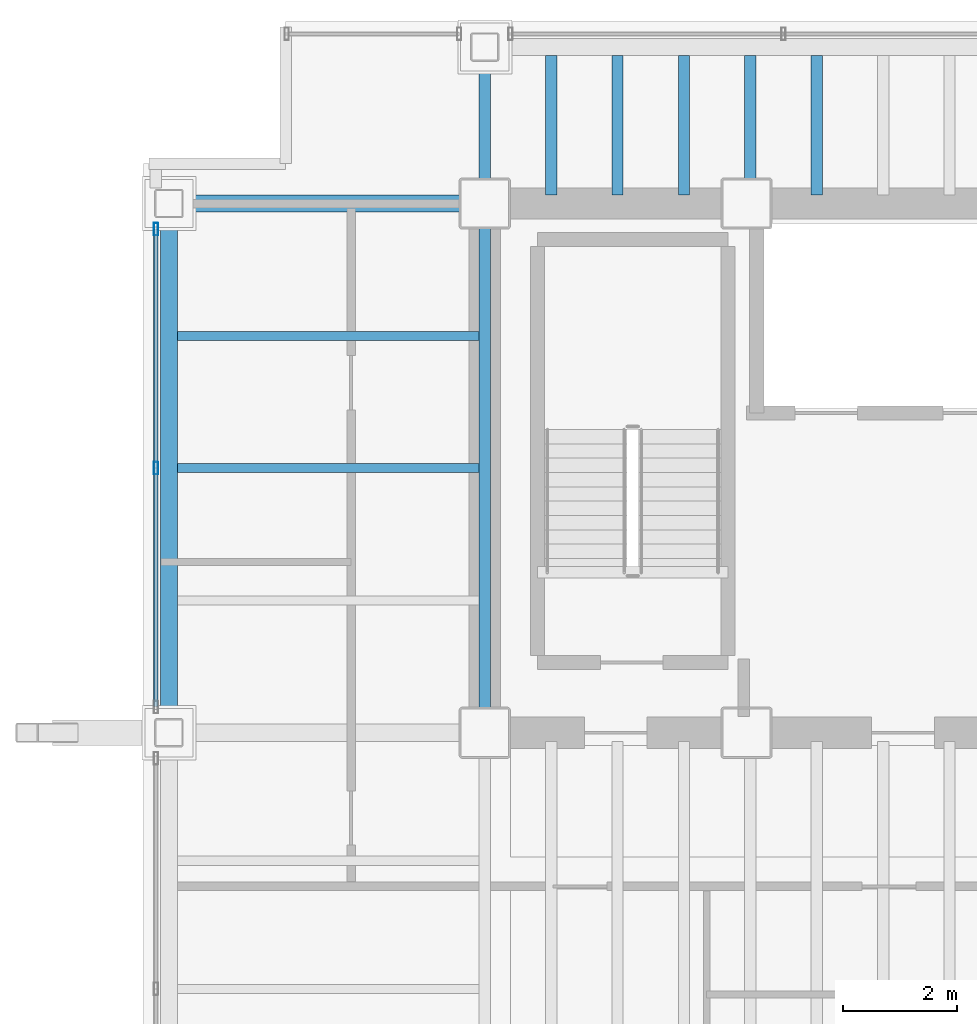
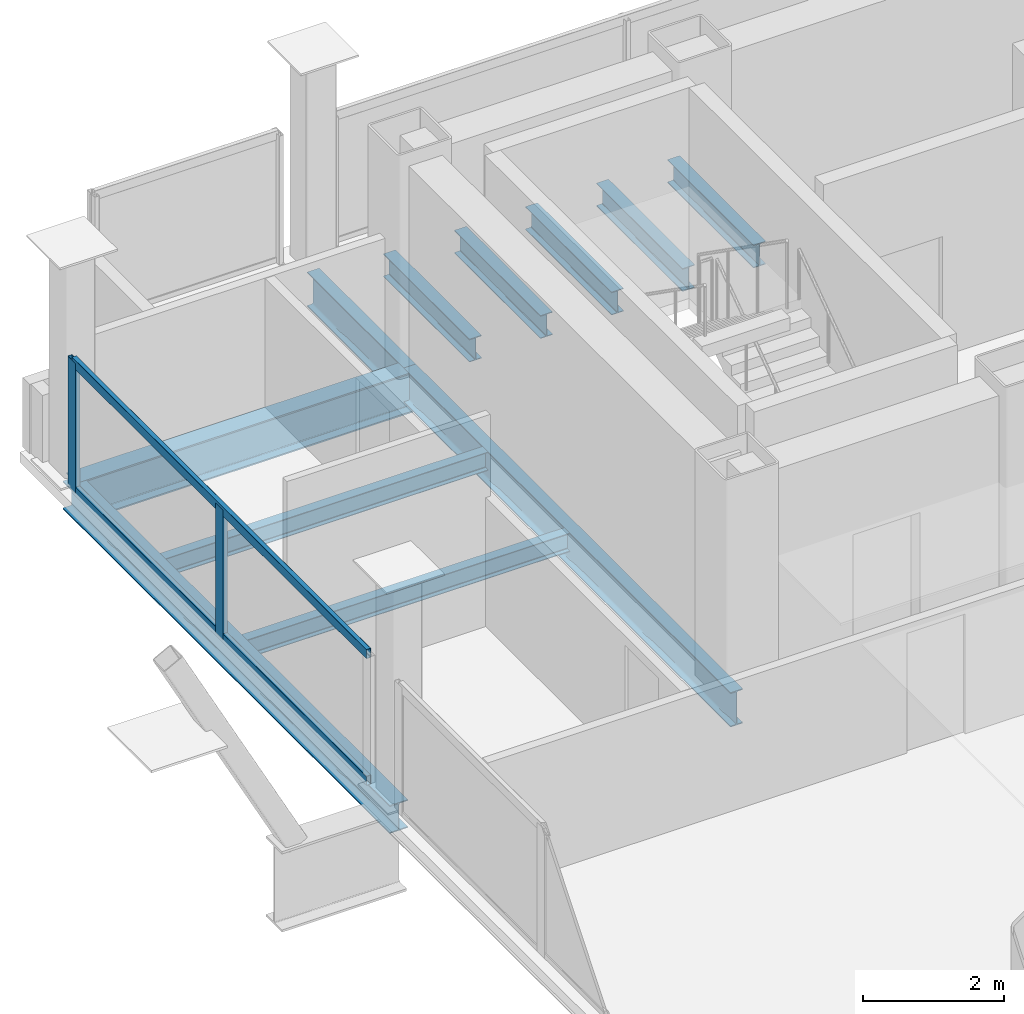
# One storey, part 7 of 21: 11 beams, 4 members, 1 element without a shape of its own.
"""IFC4 building model written with IfcOpenShell, lengths in metres."""

from ifc_helpers import new_model, si_unit, direction, frame, origin, origin_2d, place, context, subcontext, project, spatial, hollow_rectangle, i_section, extrude, material, material_profile, profile_set, type_object, element, aggregate, save


model = new_model("IFC4")

# Units and contexts
model_context = context("Model", 3, precision=1e-05, world=origin(), true_north=direction((0.0, 1.0)))
body_context = subcontext(model_context, "Body", "Model", "MODEL_VIEW")
ifc_project = project(units=[si_unit("LENGTHUNIT", "METRE"), si_unit("AREAUNIT", "SQUARE_METRE"), si_unit("VOLUMEUNIT", "CUBIC_METRE"), si_unit("PLANEANGLEUNIT", "RADIAN"), si_unit("MASSUNIT", "GRAM", prefix="KILO")], contexts=[model_context])

# Site, building, storey
site_placement = place(None, origin())
site = spatial("IfcSite", under=ifc_project, at=site_placement, CompositionType="ELEMENT")
building_placement = place(site_placement, origin())
building = spatial("IfcBuilding", under=site, at=building_placement, Name="Noeulbin Bourse Tower", CompositionType="ELEMENT")
storey_placement = place(building_placement, frame((0.0, 0.0, 111.0)))
storey = spatial("IfcBuildingStorey", under=building, at=storey_placement, Name="L27", CompositionType="ELEMENT", Elevation=111.0)

# Beams
ifc_material_1 = material(Name="Steel S355", Category="steel")
ifc_material_profile_1 = material_profile(ifc_material_1, i_section(OverallWidth=0.199951171875, OverallDepth=0.60009765625, WebThickness=0.010986328125, FlangeThickness=0.01708984375, FilletRadius=0.02197265625, at=origin_2d()), Name="H-600x200x11x17", Category="LoadBearing")
ifc_profile_set_1 = profile_set([ifc_material_profile_1], Name="Steel S355")
beam_type_1 = type_object("IfcBeamType", Name="BM-GRD-600", PredefinedType="USERDEFINED", material=ifc_profile_set_1)
beam_1_placement = place(storey_placement, frame((13.5, 29.0, -0.47998046875), z_axis=(0.0, 1.0, 0.0), x_axis=(-1.0, 0.0, 0.0)))
element("IfcBeam", 1, at=beam_1_placement, inside=storey, type_object=beam_type_1, Name="Tower Primary Girder NS L27-1.3", ObjectType="GIRDER", PredefinedType="USERDEFINED", context=body_context, shape_type="SweptSolid", body=[
    extrude(i_section(OverallWidth=0.199951171875, OverallDepth=0.60009765625, WebThickness=0.010986328125, FlangeThickness=0.01708984375, FilletRadius=0.02197265625, at=origin_2d()), origin(), (0.0, 0.0, 1.0), 9.300048828125),
])
beam_2_placement = place(storey_placement, frame((13.5, 38.300048828125, -0.47998046875), z_axis=(0.0, 1.0, 0.0), x_axis=(-1.0, 0.0, 0.0)))
element("IfcBeam", 2, at=beam_2_placement, inside=storey, type_object=beam_type_1, Name="Tower Primary Girder NS L27-1.4", ObjectType="GIRDER", PredefinedType="USERDEFINED", context=body_context, shape_type="SweptSolid", body=[
    extrude(i_section(OverallWidth=0.199951171875, OverallDepth=0.60009765625, WebThickness=0.010986328125, FlangeThickness=0.01708984375, FilletRadius=0.02197265625, at=origin_2d()), origin(), (0.0, 0.0, 1.0), 2.75),
])
ifc_material_profile_2 = material_profile(ifc_material_1, i_section(OverallWidth=0.300048828125, OverallDepth=0.699951171875, WebThickness=0.012939453125, FlangeThickness=0.02392578125, FilletRadius=0.02392578125, at=origin_2d()), Name="H-700x300x13x24", Category="LoadBearing")
ifc_profile_set_2 = profile_set([ifc_material_profile_2], Name="Steel S355")
beam_type_2 = type_object("IfcBeamType", Name="BM-GRD-700", PredefinedType="USERDEFINED", material=ifc_profile_set_2)
beam_3_placement = place(storey_placement, frame((7.949951171875, 38.300048828125, -0.530029296875), z_axis=(1.0, 0.0, 0.0), x_axis=(0.0, 1.0, 0.0)))
element("IfcBeam", 3, at=beam_3_placement, inside=storey, type_object=beam_type_2, Name="Tower Primary Girder EW L27-3.1", ObjectType="GIRDER", PredefinedType="USERDEFINED", context=body_context, shape_type="SweptSolid", body=[
    extrude(i_section(OverallWidth=0.300048828125, OverallDepth=0.699951171875, WebThickness=0.012939453125, FlangeThickness=0.02392578125, FilletRadius=0.02392578125, at=origin_2d()), origin(), (0.0, 0.0, 1.0), 5.550048828125),
])
ifc_material_profile_3 = material_profile(ifc_material_1, i_section(OverallWidth=0.159912109375, OverallDepth=0.320068359375, WebThickness=0.006591796875, FlangeThickness=0.010009765625, FilletRadius=0.012939453125, at=origin_2d()), Name="H-320x160x6.5x10", Category="LoadBearing")
ifc_profile_set_3 = profile_set([ifc_material_profile_3], Name="Steel S355")
beam_type_3 = type_object("IfcBeamType", Name="BM-JST-320", PredefinedType="JOIST", material=ifc_profile_set_3)
for number, where, z_axis, x_axis, name in (
    (4, (8.10009765625, 33.64990234375, -0.340087890625), (1.0, 0.0, 0.0), (0.0, 1.0, 0.0), "Wing Composite Joist L27-W74"),
    (5, (8.10009765625, 35.97509765625, -0.340087890625), (1.0, 0.0, 0.0), (0.0, 1.0, 0.0), "Wing Composite Joist L27-W75"),
):
    element("IfcBeam", number, at=place(storey_placement, frame(where, z_axis=z_axis, x_axis=x_axis)), inside=storey, type_object=beam_type_3, Name=name, PredefinedType="JOIST", context=body_context, shape_type="SweptSolid", body=[
        extrude(i_section(OverallWidth=0.159912109375, OverallDepth=0.320068359375, WebThickness=0.006591796875, FlangeThickness=0.010009765625, FilletRadius=0.012939453125, at=origin_2d()), origin(), (0.0, 0.0, 1.0), 5.2998046875),
    ])
ifc_material_profile_4 = material_profile(ifc_material_1, i_section(OverallWidth=0.199951171875, OverallDepth=0.39990234375, WebThickness=0.008056640625, FlangeThickness=0.012939453125, FilletRadius=0.01611328125, at=origin_2d()), Name="H-400x200x8x13", Category="LoadBearing")
ifc_profile_set_4 = profile_set([ifc_material_profile_4], Name="Steel S355")
beam_type_4 = type_object("IfcBeamType", Name="BM-SEC-400", PredefinedType="BEAM", material=ifc_profile_set_4)
for number, where, z_axis, x_axis, name in (
    (6, (14.666748046875, 38.449951171875, -0.3798828125), (0.0, 1.0, 0.0), (-1.0, 0.0, 0.0), "Tower Composite Joist L27-03"),
    (7, (15.833251953125, 38.449951171875, -0.3798828125), (0.0, 1.0, 0.0), (-1.0, 0.0, 0.0), "Tower Composite Joist L27-06"),
    (8, (17.0, 38.449951171875, -0.3798828125), (0.0, 1.0, 0.0), (-1.0, 0.0, 0.0), "Tower Composite Joist L27-09"),
    (9, (18.166748046875, 38.449951171875, -0.3798828125), (0.0, 1.0, 0.0), (-1.0, 0.0, 0.0), "Tower Composite Joist L27-12"),
    (10, (19.333251953125, 38.449951171875, -0.3798828125), (0.0, 1.0, 0.0), (-1.0, 0.0, 0.0), "Tower Composite Joist L27-15"),
):
    element("IfcBeam", number, at=place(storey_placement, frame(where, z_axis=z_axis, x_axis=x_axis)), inside=storey, type_object=beam_type_4, Name=name, PredefinedType="BEAM", context=body_context, shape_type="SweptSolid", body=[
        extrude(i_section(OverallWidth=0.199951171875, OverallDepth=0.39990234375, WebThickness=0.008056640625, FlangeThickness=0.012939453125, FilletRadius=0.01611328125, at=origin_2d()), origin(), (0.0, 0.0, 1.0), 2.449951171875),
    ])
ifc_material_profile_5 = material_profile(ifc_material_1, i_section(OverallWidth=0.300048828125, OverallDepth=0.488037109375, WebThickness=0.010986328125, FlangeThickness=0.01806640625, FilletRadius=0.02197265625, at=origin_2d()), Name="H-488x300x11x18", Category="LoadBearing")
ifc_profile_set_5 = profile_set([ifc_material_profile_5], Name="Steel S355")
beam_type_5 = type_object("IfcBeamType", Name="BM-SPN-488", PredefinedType="SPANDREL", material=ifc_profile_set_5)
beam_4_placement = place(storey_placement, frame((7.949951171875, 29.0, -0.424072265625), z_axis=(0.0, 1.0, 0.0), x_axis=(-1.0, 0.0, 0.0)))
element("IfcBeam", 11, at=beam_4_placement, inside=storey, type_object=beam_type_5, Name="West Spandrel L27-2", PredefinedType="SPANDREL", context=body_context, shape_type="SweptSolid", body=[
    extrude(i_section(OverallWidth=0.300048828125, OverallDepth=0.488037109375, WebThickness=0.010986328125, FlangeThickness=0.01806640625, FilletRadius=0.02197265625, at=origin_2d()), origin(), (0.0, 0.0, 1.0), 9.300048828125),
])

# Curtain wall, members
ifc_material_2 = material(Name="Dark Tinted Triple Glazing", Category="glass")
curtain_wall_type = type_object("IfcCurtainWallType", Name="CW-SYS-3", PredefinedType="NOTDEFINED", material=ifc_material_2)
curtain_wall_placement = place(storey_placement, origin())
curtain_wall = element("IfcCurtainWall", 12, at=curtain_wall_placement, inside=storey, type_object=curtain_wall_type, Name="Unitised Curtain Wall CW-L27-W-S3", PredefinedType="NOTDEFINED")
ifc_material_3 = material(Name="Anodised Aluminium 6063-T6", Category="aluminium")
ifc_material_profile_6 = material_profile(ifc_material_3, hollow_rectangle(XDim=0.074951171875, YDim=0.219970703125, WallThickness=0.0048828125, InnerFilletRadius=0.00244140625, OuterFilletRadius=0.0048828125, at=origin_2d()), Name="ALU-MULL-75x220x5", Category="LoadBearing")
ifc_profile_set_6 = profile_set([ifc_material_profile_6], Name="Anodised Aluminium 6063-T6")
member_type_1 = type_object("IfcMemberType", Name="CW-SYS-3-MUL", PredefinedType="MULLION", material=ifc_profile_set_6)
member_1_placement = place(storey_placement, frame((7.719970703125, 33.64990234375, -0.02001953125), z_axis=(0.0, 0.0, 1.0), x_axis=(1.0, 0.0, 0.0)))
member_1 = element("IfcMember", 13, at=member_1_placement, type_object=member_type_1, Name="Curtain Wall Mullion CW-L27-W-S3-M01", PredefinedType="MULLION", context=body_context, shape_type="SweptSolid", body=[
    extrude(hollow_rectangle(XDim=0.074951171875, YDim=0.219970703125, WallThickness=0.0048828125, InnerFilletRadius=0.00244140625, OuterFilletRadius=0.0048828125, at=origin_2d()), origin(), (0.0, 0.0, 1.0), 2.260009765625),
])
member_2_placement = place(storey_placement, frame((7.719970703125, 37.85009765625, -0.02001953125), z_axis=(0.0, 0.0, 1.0), x_axis=(1.0, 0.0, 0.0)))
member_2 = element("IfcMember", 14, at=member_2_placement, type_object=member_type_1, Name="Curtain Wall Mullion CW-L27-W-S3-M02", PredefinedType="MULLION", context=body_context, shape_type="SweptSolid", body=[
    extrude(hollow_rectangle(XDim=0.074951171875, YDim=0.219970703125, WallThickness=0.0048828125, InnerFilletRadius=0.00244140625, OuterFilletRadius=0.0048828125, at=origin_2d()), origin(), (0.0, 0.0, 1.0), 2.260009765625),
])
ifc_material_profile_7 = material_profile(ifc_material_3, hollow_rectangle(XDim=0.074951171875, YDim=0.159912109375, WallThickness=0.0048828125, InnerFilletRadius=0.00244140625, OuterFilletRadius=0.0048828125, at=origin_2d()), Name="ALU-TRAN-75x160x5", Category="LoadBearing")
ifc_profile_set_7 = profile_set([ifc_material_profile_7], Name="Anodised Aluminium 6063-T6")
member_type_2 = type_object("IfcMemberType", Name="CW-SYS-3-TRN", PredefinedType="USERDEFINED", material=ifc_profile_set_7)
member_3_placement = place(storey_placement, frame((7.719970703125, 29.4599609375, 0.010009765625), z_axis=(0.0, 1.0, 0.0), x_axis=(-1.0, 0.0, 0.0)))
member_3 = element("IfcMember", 15, at=member_3_placement, type_object=member_type_2, Name="Curtain Wall Transom CW-L27-W-S3-T00", ObjectType="TRANSOM", PredefinedType="USERDEFINED", context=body_context, shape_type="SweptSolid", body=[
    extrude(hollow_rectangle(XDim=0.074951171875, YDim=0.159912109375, WallThickness=0.0048828125, InnerFilletRadius=0.00244140625, OuterFilletRadius=0.0048828125, at=origin_2d()), origin(), (0.0, 0.0, 1.0), 8.380126953125),
])
member_4_placement = place(storey_placement, frame((7.719970703125, 29.4599609375, 2.2099609375), z_axis=(0.0, 1.0, 0.0), x_axis=(-1.0, 0.0, 0.0)))
member_4 = element("IfcMember", 16, at=member_4_placement, type_object=member_type_2, Name="Curtain Wall Transom CW-L27-W-S3-T01", ObjectType="TRANSOM", PredefinedType="USERDEFINED", context=body_context, shape_type="SweptSolid", body=[
    extrude(hollow_rectangle(XDim=0.074951171875, YDim=0.159912109375, WallThickness=0.0048828125, InnerFilletRadius=0.00244140625, OuterFilletRadius=0.0048828125, at=origin_2d()), origin(), (0.0, 0.0, 1.0), 8.380126953125),
])
aggregate(curtain_wall, [member_1, member_2, member_3, member_4])

save(model, "model.ifc")
